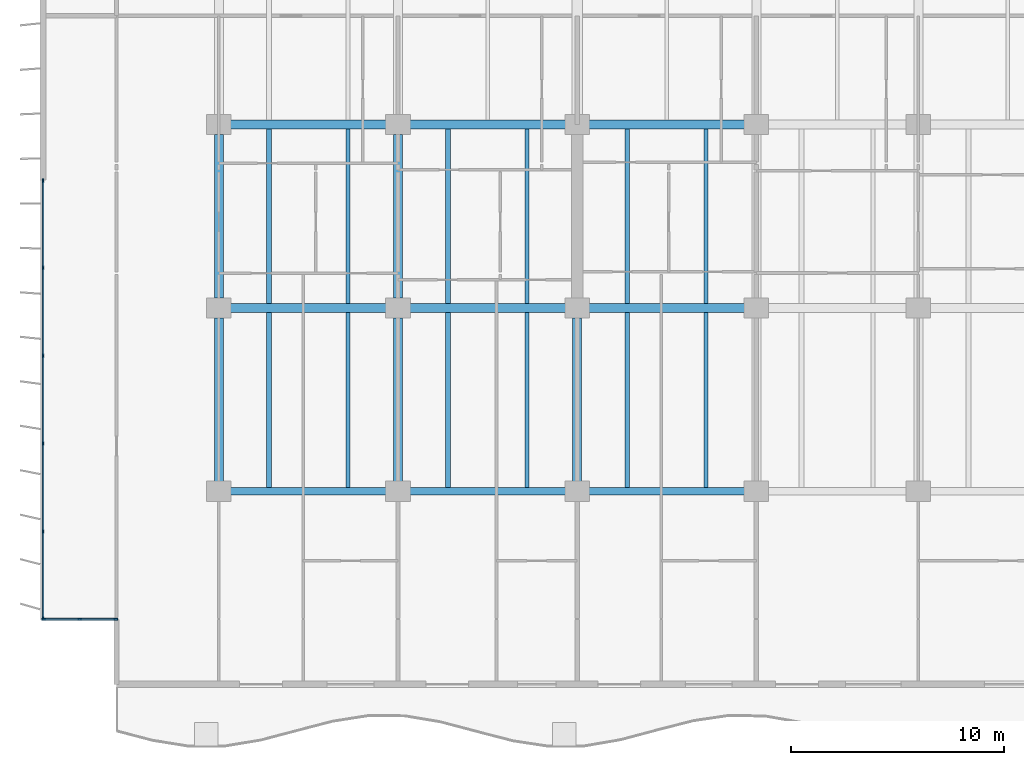
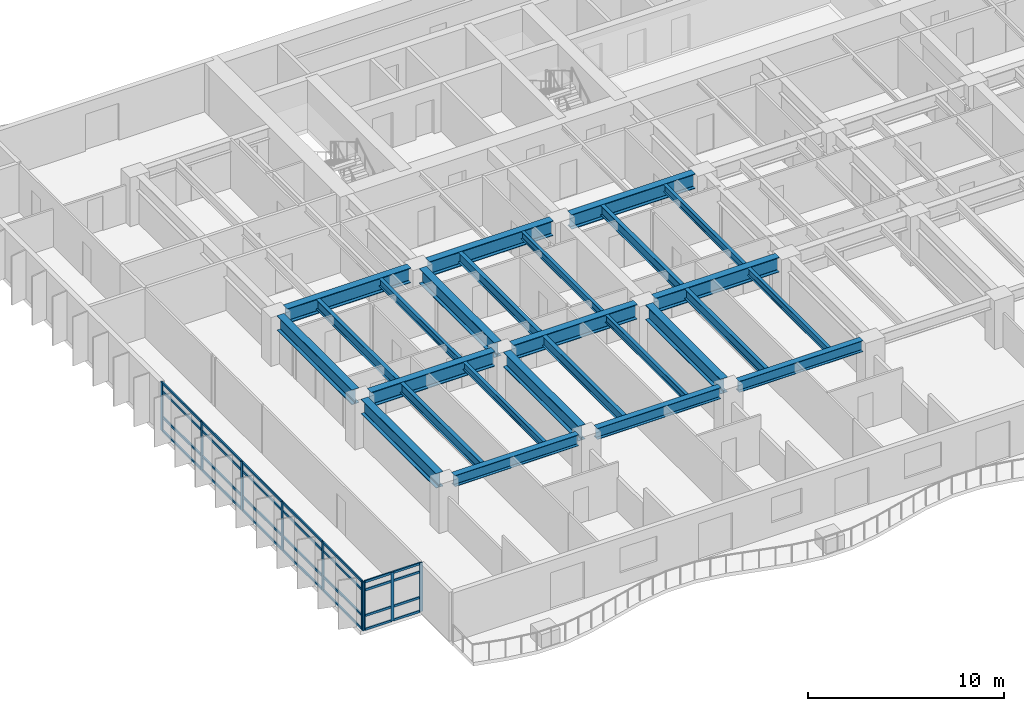
# One storey, part 2 of 17: 37 members, 26 beams, 2 elements without a shape of their own.
"""IFC4 building model written with IfcOpenShell, lengths in metres."""

import ifcopenshell
import ifcopenshell.guid

model = None  # the IFC model being written
_history = None  # IfcOwnerHistory: only IFC2X3 demands one
_inside = {}  # id of a spatial element -> (the spatial element, [elements in it])
_under = {}  # id of a project, library or spatial element -> (it, [spatial elements below it])
_declared = {}  # id of a project -> (the project, [libraries it declares])
_typed = {}  # id of a type object -> (the type object, [elements of that type])
_made_of = {}  # id of a material, layer set ... -> (it, [elements and type objects made of it])


def new_model(schema):
    """Start an empty IFC model of exactly this schema.

    Asked for "IFC4X3", IfcOpenShell would pick the latest addendum, in which some entities
    have other attributes; the version numbers below select the first issue.
    IFC2X3 requires an IfcOwnerHistory on every rooted entity: one is made here for all.
    """
    global model, _history
    if schema == "IFC4X3":
        model = ifcopenshell.file(schema_version=(4, 3, 0, 0))
    else:
        model = ifcopenshell.file(schema=schema)
    _inside.clear()
    _under.clear()
    _declared.clear()
    _typed.clear()
    _made_of.clear()
    _history = None
    if model.schema == "IFC2X3":
        org = make("IfcOrganization", Name="unknown")
        user = make(
            "IfcPersonAndOrganization",
            ThePerson=make("IfcPerson", FamilyName="unknown"),
            TheOrganization=org,
        )
        app = make(
            "IfcApplication",
            ApplicationDeveloper=org,
            Version="unknown",
            ApplicationFullName="unknown",
            ApplicationIdentifier="unknown",
        )
        _history = make(
            "IfcOwnerHistory",
            OwningUser=user,
            OwningApplication=app,
            ChangeAction="ADDED",
            CreationDate=0,
        )
    return model


def make(cls, **values):
    """One entity of the class cls with the attributes given. An attribute that is None is left unset."""
    return model.create_entity(
        cls, **{name: value for name, value in values.items() if value is not None}
    )


def rooted(cls, **values):
    """An entity with a GlobalId (a new one), such as an element, a storey or a relation."""
    return make(cls, GlobalId=ifcopenshell.guid.new(), OwnerHistory=_history, **values)


def si_unit(unit_type, name, prefix=None):
    """IfcSIUnit, for example si_unit("LENGTHUNIT", "METRE", prefix="MILLI")."""
    return make("IfcSIUnit", UnitType=unit_type, Prefix=prefix, Name=name)


def assignment(units):
    """IfcUnitAssignment: the units of a project."""
    return None if units is None else make("IfcUnitAssignment", Units=units)


def point(xyz):
    """IfcCartesianPoint."""
    return None if xyz is None else make("IfcCartesianPoint", Coordinates=xyz)


def direction(xyz):
    """IfcDirection."""
    return None if xyz is None else make("IfcDirection", DirectionRatios=xyz)


def frame(location, z_axis=None, x_axis=None):
    """IfcAxis2Placement3D, a coordinate frame: its origin and axes. An axis left out is left unset."""
    return make(
        "IfcAxis2Placement3D",
        Location=point(location),
        Axis=direction(z_axis),
        RefDirection=direction(x_axis),
    )


def frame_2d(location, x_axis=None):
    """IfcAxis2Placement2D, a coordinate frame in the plane: its origin and x axis."""
    return make(
        "IfcAxis2Placement2D", Location=point(location), RefDirection=direction(x_axis)
    )


def origin():
    """The frame at (0, 0, 0) with its axes left unset."""
    return frame((0.0, 0.0, 0.0))


def origin_2d():
    """The frame at (0, 0) in the plane with its x axis left unset."""
    return frame_2d((0.0, 0.0))


def place(relative_to, where):
    """IfcLocalPlacement: puts the frame where relative to a parent placement (None: the world)."""
    return make(
        "IfcLocalPlacement", PlacementRelTo=relative_to, RelativePlacement=where
    )


def context(
    kind, dimensions, precision=None, world=None, true_north=None, identifier=None
):
    """IfcGeometricRepresentationContext, for example the 3D "Model" context."""
    return make(
        "IfcGeometricRepresentationContext",
        ContextIdentifier=identifier,
        ContextType=kind,
        CoordinateSpaceDimension=dimensions,
        Precision=precision,
        WorldCoordinateSystem=world,
        TrueNorth=true_north,
    )


def subcontext(parent, identifier, kind, view, scale=None):
    """IfcGeometricRepresentationSubContext, for example "Body" below "Model"."""
    return make(
        "IfcGeometricRepresentationSubContext",
        ContextIdentifier=identifier,
        ContextType=kind,
        ParentContext=parent,
        TargetScale=scale,
        TargetView=view,
    )


def project(units=None, contexts=None):
    """IfcProject with its units and contexts."""
    return rooted(
        "IfcProject",
        Name="project",
        RepresentationContexts=contexts,
        UnitsInContext=assignment(units),
    )


def spatial(cls, under=None, at=None, **own):
    """A site, building, storey or space (cls), placed at a placement, below another one or the project."""
    s = rooted(cls, ObjectPlacement=at, **own)
    if under is not None:
        _under.setdefault(under.id(), (under, []))[1].append(s)
    return s


def profile(cls, at=None, kind="AREA", **sizes):
    """A parametric profile (cls). Its sizes go by their IFC names, for example OverallWidth=200.0."""
    return make(cls, ProfileType=kind, Position=at, **sizes)


def rectangle(**sizes):
    """IfcRectangleProfileDef."""
    return profile("IfcRectangleProfileDef", **sizes)


def i_section(**sizes):
    """IfcIShapeProfileDef."""
    return profile("IfcIShapeProfileDef", **sizes)


def extrude(swept, where, along, depth):
    """IfcExtrudedAreaSolid: the profile swept, set in the frame where, extruded along a direction by depth."""
    return make(
        "IfcExtrudedAreaSolid",
        SweptArea=swept,
        Position=where,
        ExtrudedDirection=direction(along),
        Depth=depth,
    )


def shape(context_of_items, identifier, shape_type, items):
    """IfcShapeRepresentation: the items that make up one representation, for example the "Body"."""
    return make(
        "IfcShapeRepresentation",
        ContextOfItems=context_of_items,
        RepresentationIdentifier=identifier,
        RepresentationType=shape_type,
        Items=items,
    )


def material(Name=None, Category=None):
    """IfcMaterial."""
    return make("IfcMaterial", Name=Name, Category=Category)


def layer(
    of_material, thickness, ventilated=None, Name=None, Category=None, Priority=None
):
    """IfcMaterialLayer: one layer of a wall or slab, of a material (None: an air gap)."""
    return make(
        "IfcMaterialLayer",
        Material=of_material,
        LayerThickness=thickness,
        IsVentilated=ventilated,
        Name=Name,
        Category=Category,
        Priority=Priority,
    )


def layer_set(layers, Name=None):
    """IfcMaterialLayerSet."""
    return make("IfcMaterialLayerSet", MaterialLayers=layers, LayerSetName=Name)


def material_profile(
    of_material, cross_section, Name=None, Category=None, Priority=None
):
    """IfcMaterialProfile: a cross section and its material."""
    return make(
        "IfcMaterialProfile",
        Name=Name,
        Material=of_material,
        Profile=cross_section,
        Priority=Priority,
        Category=Category,
    )


def profile_set(profiles, Name=None, composite=None):
    """IfcMaterialProfileSet."""
    return make(
        "IfcMaterialProfileSet",
        Name=Name,
        MaterialProfiles=profiles,
        CompositeProfile=composite,
    )


def made_of(thing, what):
    """Note that an element or type object is made of a material, layer set ...; save() writes the relation."""
    if what is not None:
        _made_of.setdefault(what.id(), (what, []))[1].append(thing)
    return thing


def type_object(cls, material=None, **own):
    """A type object (cls), such as IfcWallType, which elements share."""
    return made_of(rooted(cls, **own), material)


def element(
    cls,
    number,
    at=None,
    inside=None,
    cuts=None,
    type_object=None,
    material=None,
    context=None,
    identifier="Body",
    shape_type=None,
    held_by="IfcProductDefinitionShape",
    body=None,
    shapes=None,
    **own,
):
    """One element of the class cls, such as IfcWall. Its Tag is "e" and its number.

    at: its placement. inside: the storey or other place that contains it. cuts: it is an
    opening in that element (IfcRelVoidsElement). A single representation is given by context,
    identifier, shape_type and body (its items); several are given by shapes. held_by: the class
    of the entity that holds the representations. save() writes the other relations.
    """
    e = rooted(cls, Tag="e%d" % number, ObjectPlacement=at, **own)
    if body is not None:
        shapes = [shape(context, identifier, shape_type, body)]
    if shapes is not None:
        e.Representation = make(held_by, Representations=shapes)
    if inside is not None:
        _inside.setdefault(inside.id(), (inside, []))[1].append(e)
    if cuts is not None:
        rooted(
            "IfcRelVoidsElement", RelatingBuildingElement=cuts, RelatedOpeningElement=e
        )
    if type_object is not None:
        _typed.setdefault(type_object.id(), (type_object, []))[1].append(e)
    return made_of(e, material)


def aggregate(whole, parts):
    """IfcRelAggregates: a whole, such as a stair, and the parts it consists of."""
    return rooted("IfcRelAggregates", RelatingObject=whole, RelatedObjects=parts)


def save(model, path):
    """Write the relations noted so far, then the file.

    IfcRelAggregates (storeys below a building ...), IfcRelContainedInSpatialStructure (elements
    in a storey), IfcRelDefinesByType, IfcRelAssociatesMaterial and IfcRelDeclares: one each for
    every whole, place, type object, material and project.
    """
    for whole, parts in _under.values():
        aggregate(whole, parts)
    for where, things in _inside.values():
        rooted(
            "IfcRelContainedInSpatialStructure",
            RelatedElements=things,
            RelatingStructure=where,
        )
    for kind, things in _typed.values():
        rooted("IfcRelDefinesByType", RelatedObjects=things, RelatingType=kind)
    for what, things in _made_of.values():
        rooted("IfcRelAssociatesMaterial", RelatedObjects=things, RelatingMaterial=what)
    for by, libraries in _declared.values():
        rooted("IfcRelDeclares", RelatingContext=by, RelatedDefinitions=libraries)
    model.write(path)


model = new_model("IFC4")

# Units and contexts
model_context = context("Model", 3, precision=1e-05, world=origin(), true_north=direction((0.0, 1.0)))
body_context = subcontext(model_context, "Body", "Model", "MODEL_VIEW")
ifc_project = project(units=[si_unit("LENGTHUNIT", "METRE"), si_unit("AREAUNIT", "SQUARE_METRE"), si_unit("VOLUMEUNIT", "CUBIC_METRE"), si_unit("PLANEANGLEUNIT", "RADIAN"), si_unit("MASSUNIT", "GRAM", prefix="KILO")], contexts=[model_context])

# Site, building, storey
site_placement = place(None, origin())
site = spatial("IfcSite", under=ifc_project, at=site_placement, CompositionType="ELEMENT")
building_placement = place(site_placement, origin())
building = spatial("IfcBuilding", under=site, at=building_placement, Name="Caelmar Bay Residences", CompositionType="ELEMENT")
storey_placement = place(building_placement, frame((0.0, 0.0, 30.0)))
storey = spatial("IfcBuildingStorey", under=building, at=storey_placement, Name="L06", CompositionType="ELEMENT", Elevation=30.0)

# Beams
ifc_material_1 = material(Name="Steel ASTM A992 Grade 50", Category="steel")
ifc_material_profile_1 = material_profile(ifc_material_1, i_section(OverallWidth=0.422119140625, OverallDepth=0.925048828125, WebThickness=0.021240234375, FlangeThickness=0.03662109375, FilletRadius=0.020263671875, at=origin_2d()), Name="W36X262")
ifc_profile_set_1 = profile_set([ifc_material_profile_1], Name="Steel ASTM A992 Grade 50")
beam_type_1 = type_object("IfcBeamType", Name="BM-GRD-W36X262", PredefinedType="BEAM", material=ifc_profile_set_1)
beam_1_placement = place(storey_placement, frame((10.43994140625, 20.800048828125, 2.58740234375), z_axis=(1.0, 0.0, 0.0), x_axis=(0.0, 1.0, 0.0)))
element("IfcBeam", 1, at=beam_1_placement, inside=storey, type_object=beam_type_1, Name="L06 East-West Girder Y=20.80 (9.9-18.3)", PredefinedType="BEAM", context=body_context, shape_type="SweptSolid", body=[
    extrude(i_section(OverallWidth=0.422119140625, OverallDepth=0.925048828125, WebThickness=0.021240234375, FlangeThickness=0.03662109375, FilletRadius=0.020263671875, at=origin_2d()), origin(), (0.0, 0.0, 1.0), 7.320068359375),
])
beam_2_placement = place(storey_placement, frame((18.840087890625, 20.800048828125, 2.58740234375), z_axis=(1.0, 0.0, 0.0), x_axis=(0.0, 1.0, 0.0)))
element("IfcBeam", 2, at=beam_2_placement, inside=storey, type_object=beam_type_1, Name="L06 East-West Girder Y=20.80 (18.3-26.7)", PredefinedType="BEAM", context=body_context, shape_type="SweptSolid", body=[
    extrude(i_section(OverallWidth=0.422119140625, OverallDepth=0.925048828125, WebThickness=0.021240234375, FlangeThickness=0.03662109375, FilletRadius=0.020263671875, at=origin_2d()), origin(), (0.0, 0.0, 1.0), 7.31982421875),
])
for number, where, z_axis, x_axis, name in (
    (3, (27.239990234375, 20.800048828125, 2.58740234375), (1.0, 0.0, 0.0), (0.0, 1.0, 0.0), "L06 East-West Girder Y=20.80 (26.7-35.1)"),
    (4, (10.43994140625, 29.39990234375, 2.58740234375), (1.0, 0.0, 0.0), (0.0, 1.0, 0.0), "L06 East-West Girder Y=29.40 (9.9-18.3)"),
):
    element("IfcBeam", number, at=place(storey_placement, frame(where, z_axis=z_axis, x_axis=x_axis)), inside=storey, type_object=beam_type_1, Name=name, PredefinedType="BEAM", context=body_context, shape_type="SweptSolid", body=[
        extrude(i_section(OverallWidth=0.422119140625, OverallDepth=0.925048828125, WebThickness=0.021240234375, FlangeThickness=0.03662109375, FilletRadius=0.020263671875, at=origin_2d()), origin(), (0.0, 0.0, 1.0), 7.320068359375),
    ])
beam_3_placement = place(storey_placement, frame((18.840087890625, 29.39990234375, 2.58740234375), z_axis=(1.0, 0.0, 0.0), x_axis=(0.0, 1.0, 0.0)))
element("IfcBeam", 5, at=beam_3_placement, inside=storey, type_object=beam_type_1, Name="L06 East-West Girder Y=29.40 (18.3-26.7)", PredefinedType="BEAM", context=body_context, shape_type="SweptSolid", body=[
    extrude(i_section(OverallWidth=0.422119140625, OverallDepth=0.925048828125, WebThickness=0.021240234375, FlangeThickness=0.03662109375, FilletRadius=0.020263671875, at=origin_2d()), origin(), (0.0, 0.0, 1.0), 7.31982421875),
])
beam_4_placement = place(storey_placement, frame((27.239990234375, 29.39990234375, 2.58740234375), z_axis=(1.0, 0.0, 0.0), x_axis=(0.0, 1.0, 0.0)))
element("IfcBeam", 6, at=beam_4_placement, inside=storey, type_object=beam_type_1, Name="L06 East-West Girder Y=29.40 (26.7-35.1)", PredefinedType="BEAM", context=body_context, shape_type="SweptSolid", body=[
    extrude(i_section(OverallWidth=0.422119140625, OverallDepth=0.925048828125, WebThickness=0.021240234375, FlangeThickness=0.03662109375, FilletRadius=0.020263671875, at=origin_2d()), origin(), (0.0, 0.0, 1.0), 7.320068359375),
])
beam_5_placement = place(storey_placement, frame((9.89990234375, 12.6650390625, 2.58740234375), z_axis=(0.0, 1.0, 0.0), x_axis=(-1.0, 0.0, 0.0)))
element("IfcBeam", 7, at=beam_5_placement, inside=storey, type_object=beam_type_1, Name="L06 North-South Girder X=9.90 (12.2-20.8)", PredefinedType="BEAM", context=body_context, shape_type="SweptSolid", body=[
    extrude(i_section(OverallWidth=0.422119140625, OverallDepth=0.925048828125, WebThickness=0.021240234375, FlangeThickness=0.03662109375, FilletRadius=0.020263671875, at=origin_2d()), origin(), (0.0, 0.0, 1.0), 7.669921875),
])
beam_6_placement = place(storey_placement, frame((9.89990234375, 21.264892578125, 2.58740234375), z_axis=(0.0, 1.0, 0.0), x_axis=(-1.0, 0.0, 0.0)))
element("IfcBeam", 8, at=beam_6_placement, inside=storey, type_object=beam_type_1, Name="L06 North-South Girder X=9.90 (20.8-29.4)", PredefinedType="BEAM", context=body_context, shape_type="SweptSolid", body=[
    extrude(i_section(OverallWidth=0.422119140625, OverallDepth=0.925048828125, WebThickness=0.021240234375, FlangeThickness=0.03662109375, FilletRadius=0.020263671875, at=origin_2d()), origin(), (0.0, 0.0, 1.0), 7.670166015625),
])
beam_7_placement = place(storey_placement, frame((18.300048828125, 12.6650390625, 2.58740234375), z_axis=(0.0, 1.0, 0.0), x_axis=(-1.0, 0.0, 0.0)))
element("IfcBeam", 9, at=beam_7_placement, inside=storey, type_object=beam_type_1, Name="L06 North-South Girder X=18.30 (12.2-20.8)", PredefinedType="BEAM", context=body_context, shape_type="SweptSolid", body=[
    extrude(i_section(OverallWidth=0.422119140625, OverallDepth=0.925048828125, WebThickness=0.021240234375, FlangeThickness=0.03662109375, FilletRadius=0.020263671875, at=origin_2d()), origin(), (0.0, 0.0, 1.0), 7.669921875),
])
beam_8_placement = place(storey_placement, frame((18.300048828125, 21.264892578125, 2.58740234375), z_axis=(0.0, 1.0, 0.0), x_axis=(-1.0, 0.0, 0.0)))
element("IfcBeam", 10, at=beam_8_placement, inside=storey, type_object=beam_type_1, Name="L06 North-South Girder X=18.30 (20.8-29.4)", PredefinedType="BEAM", context=body_context, shape_type="SweptSolid", body=[
    extrude(i_section(OverallWidth=0.422119140625, OverallDepth=0.925048828125, WebThickness=0.021240234375, FlangeThickness=0.03662109375, FilletRadius=0.020263671875, at=origin_2d()), origin(), (0.0, 0.0, 1.0), 7.670166015625),
])
beam_9_placement = place(storey_placement, frame((26.699951171875, 12.6650390625, 2.58740234375), z_axis=(0.0, 1.0, 0.0), x_axis=(-1.0, 0.0, 0.0)))
element("IfcBeam", 11, at=beam_9_placement, inside=storey, type_object=beam_type_1, Name="L06 North-South Girder X=26.70 (12.2-20.8)", PredefinedType="BEAM", context=body_context, shape_type="SweptSolid", body=[
    extrude(i_section(OverallWidth=0.422119140625, OverallDepth=0.925048828125, WebThickness=0.021240234375, FlangeThickness=0.03662109375, FilletRadius=0.020263671875, at=origin_2d()), origin(), (0.0, 0.0, 1.0), 7.669921875),
])
ifc_material_profile_2 = material_profile(ifc_material_1, i_section(OverallWidth=0.19091796875, OverallDepth=0.45703125, WebThickness=0.009033203125, FlangeThickness=0.014404296875, FilletRadius=0.01025390625, at=origin_2d()), Name="W18X50")
ifc_profile_set_2 = profile_set([ifc_material_profile_2], Name="Steel ASTM A992 Grade 50")
beam_type_2 = type_object("IfcBeamType", Name="BM-JST-W18X50", PredefinedType="JOIST", material=ifc_profile_set_2)
for number, where, z_axis, x_axis, name in (
    (12, (15.947998046875, 12.3779296875, 2.821533203125), (0.0, 1.0, 0.0), (-1.0, 0.0, 0.0), "L06 Composite Floor Joist 2"),
    (13, (24.347900390625, 12.3779296875, 2.821533203125), (0.0, 1.0, 0.0), (-1.0, 0.0, 0.0), "L06 Composite Floor Joist 4"),
    (14, (32.748046875, 12.3779296875, 2.821533203125), (0.0, 1.0, 0.0), (-1.0, 0.0, 0.0), "L06 Composite Floor Joist 6"),
):
    element("IfcBeam", number, at=place(storey_placement, frame(where, z_axis=z_axis, x_axis=x_axis)), inside=storey, type_object=beam_type_2, Name=name, PredefinedType="JOIST", context=body_context, shape_type="SweptSolid", body=[
        extrude(i_section(OverallWidth=0.19091796875, OverallDepth=0.45703125, WebThickness=0.009033203125, FlangeThickness=0.014404296875, FilletRadius=0.01025390625, at=origin_2d()), origin(), (0.0, 0.0, 1.0), 8.211181640625),
    ])
for number, where, z_axis, x_axis, name in (
    (15, (15.947998046875, 21.010986328125, 2.821533203125), (0.0, 1.0, 0.0), (-1.0, 0.0, 0.0), "L06 Composite Floor Joist 16"),
    (16, (24.347900390625, 21.010986328125, 2.821533203125), (0.0, 1.0, 0.0), (-1.0, 0.0, 0.0), "L06 Composite Floor Joist 18"),
    (17, (32.748046875, 21.010986328125, 2.821533203125), (0.0, 1.0, 0.0), (-1.0, 0.0, 0.0), "L06 Composite Floor Joist 20"),
):
    element("IfcBeam", number, at=place(storey_placement, frame(where, z_axis=z_axis, x_axis=x_axis)), inside=storey, type_object=beam_type_2, Name=name, PredefinedType="JOIST", context=body_context, shape_type="SweptSolid", body=[
        extrude(i_section(OverallWidth=0.19091796875, OverallDepth=0.45703125, WebThickness=0.009033203125, FlangeThickness=0.014404296875, FilletRadius=0.01025390625, at=origin_2d()), origin(), (0.0, 0.0, 1.0), 8.177978515625),
    ])
ifc_material_profile_3 = material_profile(ifc_material_1, i_section(OverallWidth=0.22900390625, OverallDepth=0.612060546875, WebThickness=0.011962890625, FlangeThickness=0.01953125, FilletRadius=0.0126953125, at=origin_2d()), Name="W24X84")
ifc_profile_set_3 = profile_set([ifc_material_profile_3], Name="Steel ASTM A992 Grade 50")
beam_type_3 = type_object("IfcBeamType", Name="BM-JST-W24X84", PredefinedType="JOIST", material=ifc_profile_set_3)
for number, where, z_axis, x_axis, name in (
    (18, (12.251953125, 12.3779296875, 2.743896484375), (0.0, 1.0, 0.0), (-1.0, 0.0, 0.0), "L06 Composite Floor Joist 1"),
    (19, (20.652099609375, 12.3779296875, 2.743896484375), (0.0, 1.0, 0.0), (-1.0, 0.0, 0.0), "L06 Composite Floor Joist 3"),
    (20, (29.052001953125, 12.3779296875, 2.743896484375), (0.0, 1.0, 0.0), (-1.0, 0.0, 0.0), "L06 Composite Floor Joist 5"),
):
    element("IfcBeam", number, at=place(storey_placement, frame(where, z_axis=z_axis, x_axis=x_axis)), inside=storey, type_object=beam_type_3, Name=name, PredefinedType="JOIST", context=body_context, shape_type="SweptSolid", body=[
        extrude(i_section(OverallWidth=0.22900390625, OverallDepth=0.612060546875, WebThickness=0.011962890625, FlangeThickness=0.01953125, FilletRadius=0.0126953125, at=origin_2d()), origin(), (0.0, 0.0, 1.0), 8.211181640625),
    ])
for number, where, z_axis, x_axis, name in (
    (21, (12.251953125, 21.010986328125, 2.743896484375), (0.0, 1.0, 0.0), (-1.0, 0.0, 0.0), "L06 Composite Floor Joist 15"),
    (22, (20.652099609375, 21.010986328125, 2.743896484375), (0.0, 1.0, 0.0), (-1.0, 0.0, 0.0), "L06 Composite Floor Joist 17"),
    (23, (29.052001953125, 21.010986328125, 2.743896484375), (0.0, 1.0, 0.0), (-1.0, 0.0, 0.0), "L06 Composite Floor Joist 19"),
):
    element("IfcBeam", number, at=place(storey_placement, frame(where, z_axis=z_axis, x_axis=x_axis)), inside=storey, type_object=beam_type_3, Name=name, PredefinedType="JOIST", context=body_context, shape_type="SweptSolid", body=[
        extrude(i_section(OverallWidth=0.22900390625, OverallDepth=0.612060546875, WebThickness=0.011962890625, FlangeThickness=0.01953125, FilletRadius=0.0126953125, at=origin_2d()), origin(), (0.0, 0.0, 1.0), 8.177978515625),
    ])
ifc_material_profile_4 = material_profile(ifc_material_1, i_section(OverallWidth=0.35595703125, OverallDepth=0.696044921875, WebThickness=0.015380859375, FlangeThickness=0.02490234375, FilletRadius=0.01513671875, at=origin_2d()), Name="W27X146")
ifc_profile_set_4 = profile_set([ifc_material_profile_4], Name="Steel ASTM A992 Grade 50")
beam_type_4 = type_object("IfcBeamType", Name="BM-SPN-W27X146", PredefinedType="SPANDREL", material=ifc_profile_set_4)
beam_10_placement = place(storey_placement, frame((10.43994140625, 12.199951171875, 2.701904296875), z_axis=(1.0, 0.0, 0.0), x_axis=(0.0, 1.0, 0.0)))
element("IfcBeam", 24, at=beam_10_placement, inside=storey, type_object=beam_type_4, Name="L06 East-West Girder Y=12.20 (9.9-18.3)", PredefinedType="SPANDREL", context=body_context, shape_type="SweptSolid", body=[
    extrude(i_section(OverallWidth=0.35595703125, OverallDepth=0.696044921875, WebThickness=0.015380859375, FlangeThickness=0.02490234375, FilletRadius=0.01513671875, at=origin_2d()), origin(), (0.0, 0.0, 1.0), 7.320068359375),
])
beam_11_placement = place(storey_placement, frame((18.840087890625, 12.199951171875, 2.701904296875), z_axis=(1.0, 0.0, 0.0), x_axis=(0.0, 1.0, 0.0)))
element("IfcBeam", 25, at=beam_11_placement, inside=storey, type_object=beam_type_4, Name="L06 East-West Girder Y=12.20 (18.3-26.7)", PredefinedType="SPANDREL", context=body_context, shape_type="SweptSolid", body=[
    extrude(i_section(OverallWidth=0.35595703125, OverallDepth=0.696044921875, WebThickness=0.015380859375, FlangeThickness=0.02490234375, FilletRadius=0.01513671875, at=origin_2d()), origin(), (0.0, 0.0, 1.0), 7.31982421875),
])
beam_12_placement = place(storey_placement, frame((27.239990234375, 12.199951171875, 2.701904296875), z_axis=(1.0, 0.0, 0.0), x_axis=(0.0, 1.0, 0.0)))
element("IfcBeam", 26, at=beam_12_placement, inside=storey, type_object=beam_type_4, Name="L06 East-West Girder Y=12.20 (26.7-35.1)", PredefinedType="SPANDREL", context=body_context, shape_type="SweptSolid", body=[
    extrude(i_section(OverallWidth=0.35595703125, OverallDepth=0.696044921875, WebThickness=0.015380859375, FlangeThickness=0.02490234375, FilletRadius=0.01513671875, at=origin_2d()), origin(), (0.0, 0.0, 1.0), 7.320068359375),
])

# Curtain wall, members
ifc_material_2 = material(Name="Anodised bronze aluminium 6063-T6 and laminated glass", Category="aluminium")
ifc_layer_1 = layer(ifc_material_2, 0.179931640625)
ifc_layer_set_1 = layer_set([ifc_layer_1], Name="Anodised bronze aluminium 6063-T6 and laminated glass")
curtain_wall_type_1 = type_object("IfcCurtainWallType", Name="CW6-NTC", PredefinedType="NOTDEFINED", material=ifc_layer_set_1)
curtain_wall_1_placement = place(storey_placement, origin())
curtain_wall_1 = element("IfcCurtainWall", 27, at=curtain_wall_1_placement, inside=storey, type_object=curtain_wall_type_1, Name="CW6 curtain wall L06", PredefinedType="NOTDEFINED")
ifc_material_3 = material(Name="Anodised bronze aluminium 6063-T6", Category="aluminium")
ifc_material_profile_5 = material_profile(ifc_material_3, rectangle(XDim=0.080078125, YDim=0.179931640625, at=origin_2d()), Name="CWM-80X180")
ifc_profile_set_5 = profile_set([ifc_material_profile_5], Name="Anodised bronze aluminium 6063-T6")
member_type_1 = type_object("IfcMemberType", Name="CWM-180", PredefinedType="MULLION", material=ifc_profile_set_5)
member_1_placement = place(storey_placement, frame((1.68994140625, 6.199951171875, 0.0), z_axis=(0.0, 0.0, 1.0), x_axis=(0.0, 1.0, 0.0)))
member_1 = element("IfcMember", 28, at=member_1_placement, type_object=member_type_1, Name="CW6 mullion 1", PredefinedType="MULLION", context=body_context, shape_type="SweptSolid", body=[
    extrude(rectangle(XDim=0.080078125, YDim=0.179931640625, at=origin_2d()), origin(), (0.0, 0.0, 1.0), 3.050048828125),
])
member_2_placement = place(storey_placement, frame((3.375, 6.199951171875, 0.0), z_axis=(0.0, 0.0, 1.0), x_axis=(0.0, 1.0, 0.0)))
member_2 = element("IfcMember", 29, at=member_2_placement, type_object=member_type_1, Name="CW6 mullion 2", PredefinedType="MULLION", context=body_context, shape_type="SweptSolid", body=[
    extrude(rectangle(XDim=0.080078125, YDim=0.179931640625, at=origin_2d()), origin(), (0.0, 0.0, 1.0), 3.050048828125),
])
member_3_placement = place(storey_placement, frame((5.06005859375, 6.199951171875, 0.0), z_axis=(0.0, 0.0, 1.0), x_axis=(0.0, 1.0, 0.0)))
member_3 = element("IfcMember", 30, at=member_3_placement, type_object=member_type_1, Name="CW6 mullion 3", PredefinedType="MULLION", context=body_context, shape_type="SweptSolid", body=[
    extrude(rectangle(XDim=0.080078125, YDim=0.179931640625, at=origin_2d()), origin(), (0.0, 0.0, 1.0), 3.050048828125),
])

ifc_layer_2 = layer(ifc_material_2, 0.179931640625)
ifc_layer_set_2 = layer_set([ifc_layer_2], Name="Anodised bronze aluminium 6063-T6 and laminated glass")
curtain_wall_type_2 = type_object("IfcCurtainWallType", Name="CW2-Z1", PredefinedType="NOTDEFINED", material=ifc_layer_set_2)
curtain_wall_2_placement = place(storey_placement, origin())
curtain_wall_2 = element("IfcCurtainWall", 31, at=curtain_wall_2_placement, inside=storey, type_object=curtain_wall_type_2, Name="CW2 curtain wall L06", PredefinedType="NOTDEFINED")
member_4_placement = place(storey_placement, frame((1.64990234375, 6.239990234375, 0.0), z_axis=(0.0, 0.0, 1.0), x_axis=(-1.0, 0.0, 0.0)))
member_4 = element("IfcMember", 32, at=member_4_placement, type_object=member_type_1, Name="CW2 mullion 1", PredefinedType="MULLION", context=body_context, shape_type="SweptSolid", body=[
    extrude(rectangle(XDim=0.080078125, YDim=0.179931640625, at=origin_2d()), origin(), (0.0, 0.0, 1.0), 3.050048828125),
])
member_5_placement = place(storey_placement, frame((1.64990234375, 10.320068359375, 0.0), z_axis=(0.0, 0.0, 1.0), x_axis=(-1.0, 0.0, 0.0)))
member_5 = element("IfcMember", 33, at=member_5_placement, type_object=member_type_1, Name="CW2 mullion 2", PredefinedType="MULLION", context=body_context, shape_type="SweptSolid", body=[
    extrude(rectangle(XDim=0.080078125, YDim=0.179931640625, at=origin_2d()), origin(), (0.0, 0.0, 1.0), 3.050048828125),
])
member_6_placement = place(storey_placement, frame((1.64990234375, 14.43994140625, 0.0), z_axis=(0.0, 0.0, 1.0), x_axis=(-1.0, 0.0, 0.0)))
member_6 = element("IfcMember", 34, at=member_6_placement, type_object=member_type_1, Name="CW2 mullion 3", PredefinedType="MULLION", context=body_context, shape_type="SweptSolid", body=[
    extrude(rectangle(XDim=0.080078125, YDim=0.179931640625, at=origin_2d()), origin(), (0.0, 0.0, 1.0), 3.050048828125),
])
member_7_placement = place(storey_placement, frame((1.64990234375, 18.56005859375, 0.0), z_axis=(0.0, 0.0, 1.0), x_axis=(-1.0, 0.0, 0.0)))
member_7 = element("IfcMember", 35, at=member_7_placement, type_object=member_type_1, Name="CW2 mullion 4", PredefinedType="MULLION", context=body_context, shape_type="SweptSolid", body=[
    extrude(rectangle(XDim=0.080078125, YDim=0.179931640625, at=origin_2d()), origin(), (0.0, 0.0, 1.0), 3.050048828125),
])
member_8_placement = place(storey_placement, frame((1.64990234375, 22.679931640625, 0.0), z_axis=(0.0, 0.0, 1.0), x_axis=(-1.0, 0.0, 0.0)))
member_8 = element("IfcMember", 36, at=member_8_placement, type_object=member_type_1, Name="CW2 mullion 5", PredefinedType="MULLION", context=body_context, shape_type="SweptSolid", body=[
    extrude(rectangle(XDim=0.080078125, YDim=0.179931640625, at=origin_2d()), origin(), (0.0, 0.0, 1.0), 3.050048828125),
])
member_9_placement = place(storey_placement, frame((1.64990234375, 26.760009765625, 0.0), z_axis=(0.0, 0.0, 1.0), x_axis=(-1.0, 0.0, 0.0)))
member_9 = element("IfcMember", 37, at=member_9_placement, type_object=member_type_1, Name="CW2 mullion 6", PredefinedType="MULLION", context=body_context, shape_type="SweptSolid", body=[
    extrude(rectangle(XDim=0.080078125, YDim=0.179931640625, at=origin_2d()), origin(), (0.0, 0.0, 1.0), 3.050048828125),
])

# Member
ifc_material_profile_6 = material_profile(ifc_material_3, rectangle(XDim=0.080078125, YDim=0.139892578125, at=origin_2d()), Name="CWT-80X140")
ifc_profile_set_6 = profile_set([ifc_material_profile_6], Name="Anodised bronze aluminium 6063-T6")
member_type_2 = type_object("IfcMemberType", Name="CWT-140", PredefinedType="NOTDEFINED", material=ifc_profile_set_6)
member_10_placement = place(storey_placement, frame((1.72998046875, 6.199951171875, 0.0400390625), z_axis=(1.0, 0.0, 0.0), x_axis=(0.0, 1.0, 0.0)))
member_10 = element("IfcMember", 38, at=member_10_placement, type_object=member_type_2, Name="CW6 transom 1.1", ObjectType="TRANSOM", PredefinedType="USERDEFINED", context=body_context, shape_type="SweptSolid", body=[
    extrude(rectangle(XDim=0.080078125, YDim=0.139892578125, at=origin_2d()), origin(), (0.0, 0.0, 1.0), 1.60498046875),
])

member_11_placement = place(storey_placement, frame((1.72998046875, 6.199951171875, 0.89990234375), z_axis=(1.0, 0.0, 0.0), x_axis=(0.0, 1.0, 0.0)))
member_11 = element("IfcMember", 39, at=member_11_placement, type_object=member_type_2, Name="CW6 transom 1.2", ObjectType="TRANSOM", PredefinedType="USERDEFINED", context=body_context, shape_type="SweptSolid", body=[
    extrude(rectangle(XDim=0.080078125, YDim=0.139892578125, at=origin_2d()), origin(), (0.0, 0.0, 1.0), 1.60498046875),
])

member_12_placement = place(storey_placement, frame((1.72998046875, 6.199951171875, 2.5), z_axis=(1.0, 0.0, 0.0), x_axis=(0.0, 1.0, 0.0)))
member_12 = element("IfcMember", 40, at=member_12_placement, type_object=member_type_2, Name="CW6 transom 1.3", ObjectType="TRANSOM", PredefinedType="USERDEFINED", context=body_context, shape_type="SweptSolid", body=[
    extrude(rectangle(XDim=0.080078125, YDim=0.139892578125, at=origin_2d()), origin(), (0.0, 0.0, 1.0), 1.60498046875),
])

member_13_placement = place(storey_placement, frame((1.72998046875, 6.199951171875, 3.010009765625), z_axis=(1.0, 0.0, 0.0), x_axis=(0.0, 1.0, 0.0)))
member_13 = element("IfcMember", 41, at=member_13_placement, type_object=member_type_2, Name="CW6 transom 1.4", ObjectType="TRANSOM", PredefinedType="USERDEFINED", context=body_context, shape_type="SweptSolid", body=[
    extrude(rectangle(XDim=0.080078125, YDim=0.139892578125, at=origin_2d()), origin(), (0.0, 0.0, 1.0), 1.60498046875),
])

member_14_placement = place(storey_placement, frame((3.4150390625, 6.199951171875, 0.0400390625), z_axis=(1.0, 0.0, 0.0), x_axis=(0.0, 1.0, 0.0)))
member_14 = element("IfcMember", 42, at=member_14_placement, type_object=member_type_2, Name="CW6 transom 2.1", ObjectType="TRANSOM", PredefinedType="USERDEFINED", context=body_context, shape_type="SweptSolid", body=[
    extrude(rectangle(XDim=0.080078125, YDim=0.139892578125, at=origin_2d()), origin(), (0.0, 0.0, 1.0), 1.60498046875),
])

member_15_placement = place(storey_placement, frame((3.4150390625, 6.199951171875, 0.89990234375), z_axis=(1.0, 0.0, 0.0), x_axis=(0.0, 1.0, 0.0)))
member_15 = element("IfcMember", 43, at=member_15_placement, type_object=member_type_2, Name="CW6 transom 2.2", ObjectType="TRANSOM", PredefinedType="USERDEFINED", context=body_context, shape_type="SweptSolid", body=[
    extrude(rectangle(XDim=0.080078125, YDim=0.139892578125, at=origin_2d()), origin(), (0.0, 0.0, 1.0), 1.60498046875),
])

member_16_placement = place(storey_placement, frame((3.4150390625, 6.199951171875, 2.5), z_axis=(1.0, 0.0, 0.0), x_axis=(0.0, 1.0, 0.0)))
member_16 = element("IfcMember", 44, at=member_16_placement, type_object=member_type_2, Name="CW6 transom 2.3", ObjectType="TRANSOM", PredefinedType="USERDEFINED", context=body_context, shape_type="SweptSolid", body=[
    extrude(rectangle(XDim=0.080078125, YDim=0.139892578125, at=origin_2d()), origin(), (0.0, 0.0, 1.0), 1.60498046875),
])

member_17_placement = place(storey_placement, frame((3.4150390625, 6.199951171875, 3.010009765625), z_axis=(1.0, 0.0, 0.0), x_axis=(0.0, 1.0, 0.0)))
member_17 = element("IfcMember", 45, at=member_17_placement, type_object=member_type_2, Name="CW6 transom 2.4", ObjectType="TRANSOM", PredefinedType="USERDEFINED", context=body_context, shape_type="SweptSolid", body=[
    extrude(rectangle(XDim=0.080078125, YDim=0.139892578125, at=origin_2d()), origin(), (0.0, 0.0, 1.0), 1.60498046875),
])

aggregate(curtain_wall_1, [member_1, member_2, member_3, member_10, member_11, member_12, member_13, member_14, member_15, member_16, member_17])

member_18_placement = place(storey_placement, frame((1.64990234375, 6.280029296875, 0.0400390625), z_axis=(0.0, 1.0, 0.0), x_axis=(-1.0, 0.0, 0.0)))
member_18 = element("IfcMember", 46, at=member_18_placement, type_object=member_type_2, Name="CW2 transom 1.1", ObjectType="TRANSOM", PredefinedType="USERDEFINED", context=body_context, shape_type="SweptSolid", body=[
    extrude(rectangle(XDim=0.080078125, YDim=0.139892578125, at=origin_2d()), origin(), (0.0, 0.0, 1.0), 4.0),
])

member_19_placement = place(storey_placement, frame((1.64990234375, 6.280029296875, 0.89990234375), z_axis=(0.0, 1.0, 0.0), x_axis=(-1.0, 0.0, 0.0)))
member_19 = element("IfcMember", 47, at=member_19_placement, type_object=member_type_2, Name="CW2 transom 1.2", ObjectType="TRANSOM", PredefinedType="USERDEFINED", context=body_context, shape_type="SweptSolid", body=[
    extrude(rectangle(XDim=0.080078125, YDim=0.139892578125, at=origin_2d()), origin(), (0.0, 0.0, 1.0), 4.0),
])

member_20_placement = place(storey_placement, frame((1.64990234375, 6.280029296875, 2.5), z_axis=(0.0, 1.0, 0.0), x_axis=(-1.0, 0.0, 0.0)))
member_20 = element("IfcMember", 48, at=member_20_placement, type_object=member_type_2, Name="CW2 transom 1.3", ObjectType="TRANSOM", PredefinedType="USERDEFINED", context=body_context, shape_type="SweptSolid", body=[
    extrude(rectangle(XDim=0.080078125, YDim=0.139892578125, at=origin_2d()), origin(), (0.0, 0.0, 1.0), 4.0),
])

member_21_placement = place(storey_placement, frame((1.64990234375, 6.280029296875, 3.010009765625), z_axis=(0.0, 1.0, 0.0), x_axis=(-1.0, 0.0, 0.0)))
member_21 = element("IfcMember", 49, at=member_21_placement, type_object=member_type_2, Name="CW2 transom 1.4", ObjectType="TRANSOM", PredefinedType="USERDEFINED", context=body_context, shape_type="SweptSolid", body=[
    extrude(rectangle(XDim=0.080078125, YDim=0.139892578125, at=origin_2d()), origin(), (0.0, 0.0, 1.0), 4.0),
])

member_22_placement = place(storey_placement, frame((1.64990234375, 10.360107421875, 0.0400390625), z_axis=(0.0, 1.0, 0.0), x_axis=(-1.0, 0.0, 0.0)))
member_22 = element("IfcMember", 50, at=member_22_placement, type_object=member_type_2, Name="CW2 transom 2.1", ObjectType="TRANSOM", PredefinedType="USERDEFINED", context=body_context, shape_type="SweptSolid", body=[
    extrude(rectangle(XDim=0.080078125, YDim=0.139892578125, at=origin_2d()), origin(), (0.0, 0.0, 1.0), 4.039794921875),
])

member_23_placement = place(storey_placement, frame((1.64990234375, 10.360107421875, 0.89990234375), z_axis=(0.0, 1.0, 0.0), x_axis=(-1.0, 0.0, 0.0)))
member_23 = element("IfcMember", 51, at=member_23_placement, type_object=member_type_2, Name="CW2 transom 2.2", ObjectType="TRANSOM", PredefinedType="USERDEFINED", context=body_context, shape_type="SweptSolid", body=[
    extrude(rectangle(XDim=0.080078125, YDim=0.139892578125, at=origin_2d()), origin(), (0.0, 0.0, 1.0), 4.039794921875),
])

member_24_placement = place(storey_placement, frame((1.64990234375, 10.360107421875, 2.5), z_axis=(0.0, 1.0, 0.0), x_axis=(-1.0, 0.0, 0.0)))
member_24 = element("IfcMember", 52, at=member_24_placement, type_object=member_type_2, Name="CW2 transom 2.3", ObjectType="TRANSOM", PredefinedType="USERDEFINED", context=body_context, shape_type="SweptSolid", body=[
    extrude(rectangle(XDim=0.080078125, YDim=0.139892578125, at=origin_2d()), origin(), (0.0, 0.0, 1.0), 4.039794921875),
])

member_25_placement = place(storey_placement, frame((1.64990234375, 10.360107421875, 3.010009765625), z_axis=(0.0, 1.0, 0.0), x_axis=(-1.0, 0.0, 0.0)))
member_25 = element("IfcMember", 53, at=member_25_placement, type_object=member_type_2, Name="CW2 transom 2.4", ObjectType="TRANSOM", PredefinedType="USERDEFINED", context=body_context, shape_type="SweptSolid", body=[
    extrude(rectangle(XDim=0.080078125, YDim=0.139892578125, at=origin_2d()), origin(), (0.0, 0.0, 1.0), 4.039794921875),
])

member_26_placement = place(storey_placement, frame((1.64990234375, 14.47998046875, 0.0400390625), z_axis=(0.0, 1.0, 0.0), x_axis=(-1.0, 0.0, 0.0)))
member_26 = element("IfcMember", 54, at=member_26_placement, type_object=member_type_2, Name="CW2 transom 3.1", ObjectType="TRANSOM", PredefinedType="USERDEFINED", context=body_context, shape_type="SweptSolid", body=[
    extrude(rectangle(XDim=0.080078125, YDim=0.139892578125, at=origin_2d()), origin(), (0.0, 0.0, 1.0), 4.0400390625),
])

member_27_placement = place(storey_placement, frame((1.64990234375, 14.47998046875, 0.89990234375), z_axis=(0.0, 1.0, 0.0), x_axis=(-1.0, 0.0, 0.0)))
member_27 = element("IfcMember", 55, at=member_27_placement, type_object=member_type_2, Name="CW2 transom 3.2", ObjectType="TRANSOM", PredefinedType="USERDEFINED", context=body_context, shape_type="SweptSolid", body=[
    extrude(rectangle(XDim=0.080078125, YDim=0.139892578125, at=origin_2d()), origin(), (0.0, 0.0, 1.0), 4.0400390625),
])

member_28_placement = place(storey_placement, frame((1.64990234375, 14.47998046875, 2.5), z_axis=(0.0, 1.0, 0.0), x_axis=(-1.0, 0.0, 0.0)))
member_28 = element("IfcMember", 56, at=member_28_placement, type_object=member_type_2, Name="CW2 transom 3.3", ObjectType="TRANSOM", PredefinedType="USERDEFINED", context=body_context, shape_type="SweptSolid", body=[
    extrude(rectangle(XDim=0.080078125, YDim=0.139892578125, at=origin_2d()), origin(), (0.0, 0.0, 1.0), 4.0400390625),
])

member_29_placement = place(storey_placement, frame((1.64990234375, 14.47998046875, 3.010009765625), z_axis=(0.0, 1.0, 0.0), x_axis=(-1.0, 0.0, 0.0)))
member_29 = element("IfcMember", 57, at=member_29_placement, type_object=member_type_2, Name="CW2 transom 3.4", ObjectType="TRANSOM", PredefinedType="USERDEFINED", context=body_context, shape_type="SweptSolid", body=[
    extrude(rectangle(XDim=0.080078125, YDim=0.139892578125, at=origin_2d()), origin(), (0.0, 0.0, 1.0), 4.0400390625),
])

member_30_placement = place(storey_placement, frame((1.64990234375, 18.60009765625, 0.0400390625), z_axis=(0.0, 1.0, 0.0), x_axis=(-1.0, 0.0, 0.0)))
member_30 = element("IfcMember", 58, at=member_30_placement, type_object=member_type_2, Name="CW2 transom 4.1", ObjectType="TRANSOM", PredefinedType="USERDEFINED", context=body_context, shape_type="SweptSolid", body=[
    extrude(rectangle(XDim=0.080078125, YDim=0.139892578125, at=origin_2d()), origin(), (0.0, 0.0, 1.0), 4.039794921875),
])

member_31_placement = place(storey_placement, frame((1.64990234375, 18.60009765625, 0.89990234375), z_axis=(0.0, 1.0, 0.0), x_axis=(-1.0, 0.0, 0.0)))
member_31 = element("IfcMember", 59, at=member_31_placement, type_object=member_type_2, Name="CW2 transom 4.2", ObjectType="TRANSOM", PredefinedType="USERDEFINED", context=body_context, shape_type="SweptSolid", body=[
    extrude(rectangle(XDim=0.080078125, YDim=0.139892578125, at=origin_2d()), origin(), (0.0, 0.0, 1.0), 4.039794921875),
])

member_32_placement = place(storey_placement, frame((1.64990234375, 18.60009765625, 2.5), z_axis=(0.0, 1.0, 0.0), x_axis=(-1.0, 0.0, 0.0)))
member_32 = element("IfcMember", 60, at=member_32_placement, type_object=member_type_2, Name="CW2 transom 4.3", ObjectType="TRANSOM", PredefinedType="USERDEFINED", context=body_context, shape_type="SweptSolid", body=[
    extrude(rectangle(XDim=0.080078125, YDim=0.139892578125, at=origin_2d()), origin(), (0.0, 0.0, 1.0), 4.039794921875),
])

member_33_placement = place(storey_placement, frame((1.64990234375, 18.60009765625, 3.010009765625), z_axis=(0.0, 1.0, 0.0), x_axis=(-1.0, 0.0, 0.0)))
member_33 = element("IfcMember", 61, at=member_33_placement, type_object=member_type_2, Name="CW2 transom 4.4", ObjectType="TRANSOM", PredefinedType="USERDEFINED", context=body_context, shape_type="SweptSolid", body=[
    extrude(rectangle(XDim=0.080078125, YDim=0.139892578125, at=origin_2d()), origin(), (0.0, 0.0, 1.0), 4.039794921875),
])

member_34_placement = place(storey_placement, frame((1.64990234375, 22.719970703125, 0.0400390625), z_axis=(0.0, 1.0, 0.0), x_axis=(-1.0, 0.0, 0.0)))
member_34 = element("IfcMember", 62, at=member_34_placement, type_object=member_type_2, Name="CW2 transom 5.1", ObjectType="TRANSOM", PredefinedType="USERDEFINED", context=body_context, shape_type="SweptSolid", body=[
    extrude(rectangle(XDim=0.080078125, YDim=0.139892578125, at=origin_2d()), origin(), (0.0, 0.0, 1.0), 4.0),
])

member_35_placement = place(storey_placement, frame((1.64990234375, 22.719970703125, 0.89990234375), z_axis=(0.0, 1.0, 0.0), x_axis=(-1.0, 0.0, 0.0)))
member_35 = element("IfcMember", 63, at=member_35_placement, type_object=member_type_2, Name="CW2 transom 5.2", ObjectType="TRANSOM", PredefinedType="USERDEFINED", context=body_context, shape_type="SweptSolid", body=[
    extrude(rectangle(XDim=0.080078125, YDim=0.139892578125, at=origin_2d()), origin(), (0.0, 0.0, 1.0), 4.0),
])

member_36_placement = place(storey_placement, frame((1.64990234375, 22.719970703125, 2.5), z_axis=(0.0, 1.0, 0.0), x_axis=(-1.0, 0.0, 0.0)))
member_36 = element("IfcMember", 64, at=member_36_placement, type_object=member_type_2, Name="CW2 transom 5.3", ObjectType="TRANSOM", PredefinedType="USERDEFINED", context=body_context, shape_type="SweptSolid", body=[
    extrude(rectangle(XDim=0.080078125, YDim=0.139892578125, at=origin_2d()), origin(), (0.0, 0.0, 1.0), 4.0),
])

member_37_placement = place(storey_placement, frame((1.64990234375, 22.719970703125, 3.010009765625), z_axis=(0.0, 1.0, 0.0), x_axis=(-1.0, 0.0, 0.0)))
member_37 = element("IfcMember", 65, at=member_37_placement, type_object=member_type_2, Name="CW2 transom 5.4", ObjectType="TRANSOM", PredefinedType="USERDEFINED", context=body_context, shape_type="SweptSolid", body=[
    extrude(rectangle(XDim=0.080078125, YDim=0.139892578125, at=origin_2d()), origin(), (0.0, 0.0, 1.0), 4.0),
])

aggregate(curtain_wall_2, [member_4, member_5, member_6, member_7, member_8, member_9, member_18, member_19, member_20, member_21, member_22, member_23, member_24, member_25, member_26, member_27, member_28, member_29, member_30, member_31, member_32, member_33, member_34, member_35, member_36, member_37])

save(model, "model.ifc")
